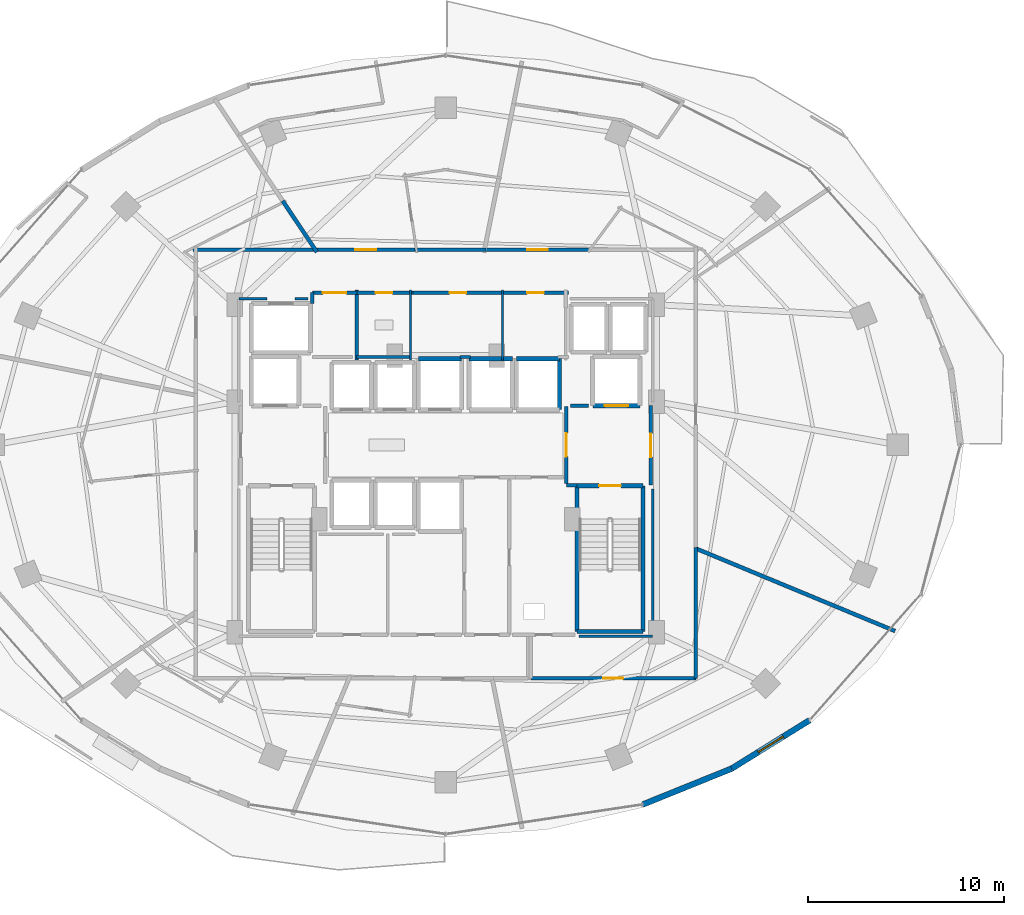
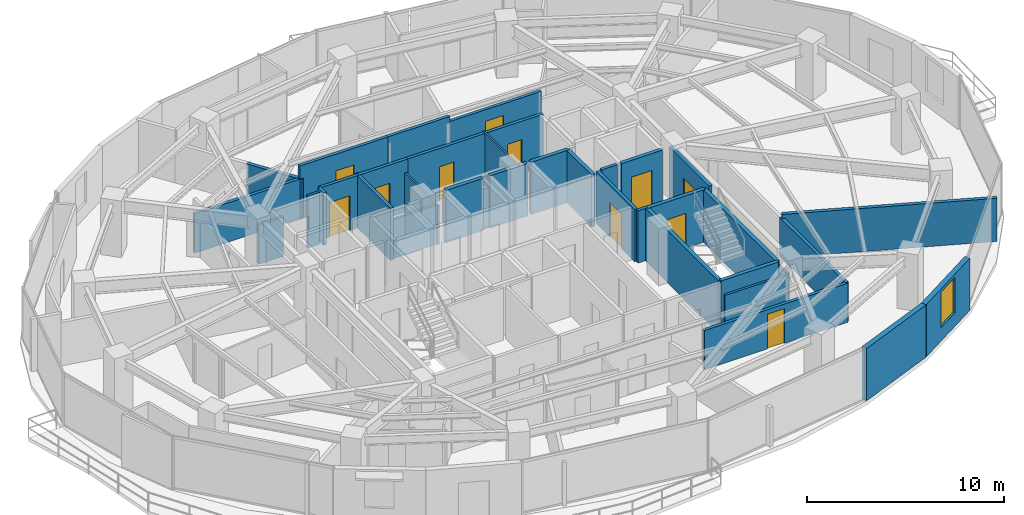
# One storey, part 24 of 29: 37 walls, 11 doors, 1 window, 12 openings.
"""IFC4 building model written with IfcOpenShell, lengths in metres."""

from ifc_helpers import new_model, si_unit, direction, frame, frame_2d, origin, place, context, subcontext, project, spatial, rectangle, extrude, material, layer, layer_set, type_object, element, fill, save


model = new_model("IFC4")

# Units and contexts
model_context = context("Model", 3, precision=1e-05, world=origin(), true_north=direction((0.0, 1.0)))
body_context = subcontext(model_context, "Body", "Model", "MODEL_VIEW")
ifc_project = project(units=[si_unit("LENGTHUNIT", "METRE"), si_unit("AREAUNIT", "SQUARE_METRE"), si_unit("VOLUMEUNIT", "CUBIC_METRE"), si_unit("PLANEANGLEUNIT", "RADIAN"), si_unit("MASSUNIT", "GRAM", prefix="KILO")], contexts=[model_context])

# Site, building, storey
site_placement = place(None, origin())
site = spatial("IfcSite", under=ifc_project, at=site_placement, CompositionType="ELEMENT")
building_placement = place(site_placement, origin())
building = spatial("IfcBuilding", under=site, at=building_placement, Name="Vorneva Point Tower", CompositionType="ELEMENT")
storey_placement = place(building_placement, frame((0.0, 0.0, 85.800048828125)))
storey = spatial("IfcBuildingStorey", under=building, at=storey_placement, Name="L22", CompositionType="ELEMENT", Elevation=85.800048828125)

# Wall, opening, door
ifc_material_1 = material(Name="Concrete B60 (C50/60)", Category="concrete")
ifc_layer_1 = layer(ifc_material_1, 0.5)
ifc_layer_set_1 = layer_set([ifc_layer_1], Name="Concrete B60 (C50/60)")
wall_type_1 = type_object("IfcWallType", Name="WL-CORE-500", PredefinedType="SHEAR", material=ifc_layer_set_1)
wall_1_placement = place(storey_placement, frame((45.5, 28.0, 0.0), z_axis=(0.0, 0.0, 1.0), x_axis=(1.0, 0.0, 0.0)))
wall_1 = element("IfcWall", 1, at=wall_1_placement, inside=storey, type_object=wall_type_1, Name="L22 Lift FFL2 Shaft Wall -Y", PredefinedType="SHEAR", context=body_context, shape_type="SweptSolid", body=[
    extrude(rectangle(XDim=2.39990234375, YDim=0.219970703125, at=frame_2d((1.199951171875, 0.0))), origin(), (0.0, 0.0, 1.0), 3.239990234375),
])
opening_1_placement = place(wall_1_placement, frame((0.60009765625, 0.0, 0.0)))
opening_1 = element("IfcOpeningElement", 2, at=opening_1_placement, cuts=wall_1, Name="Opening LD-02", PredefinedType="OPENING", context=body_context, shape_type="SweptSolid", body=[
    extrude(rectangle(XDim=1.199951171875, YDim=2.199951171875, at=frame_2d((0.60009765625, 1.10009765625))), frame((0.0, 0.125, 0.0), z_axis=(0.0, -1.0, 0.0), x_axis=(1.0, 0.0, 0.0)), (0.0, 0.0, 1.0), 0.249755859375),
])
ifc_material_2 = material(Name="Brushed stainless steel S304", Category="steel")
door_type_1 = type_object("IfcDoorType", Name="LD-FIRE-1200", OperationType="SLIDING_TO_LEFT", PredefinedType="DOOR", material=ifc_material_2)
door_1_placement = place(opening_1_placement, origin())
door_1 = element("IfcDoor", 3, at=door_1_placement, inside=storey, type_object=door_type_1, Name="L22 Lift FFL2 Sliding Landing Door", OperationType="SLIDING_TO_LEFT", OverallHeight=2.199951171875, OverallWidth=1.199951171875, PredefinedType="DOOR", context=body_context, shape_type="SweptSolid", body=[
    extrude(rectangle(XDim=1.199951171875, YDim=2.199951171875, at=frame_2d((0.60009765625, 1.10009765625))), frame((0.0, 0.02490234375, 0.0), z_axis=(0.0, -1.0, 0.0), x_axis=(1.0, 0.0, 0.0)), (0.0, 0.0, 1.0), 0.050048828125),
])
fill(opening_1, door_1)

# Wall
ifc_material_3 = material(Name="Precast concrete B50 (C40/50)", Category="concrete")
ifc_layer_2 = layer(ifc_material_3, 0.300048828125)
ifc_layer_set_2 = layer_set([ifc_layer_2], Name="Precast concrete B50 (C40/50)")
wall_type_2 = type_object("IfcWallType", Name="WL-EXT-300", PredefinedType="STANDARD", material=ifc_layer_set_2)
wall_2_placement = place(storey_placement, frame((48.04541015625, 7.660888671875, 0.0), z_axis=(0.0, 0.0, 1.0), x_axis=(0.927122233109, 0.374759075775, 0.0)))
element("IfcWall", 4, at=wall_2_placement, inside=storey, type_object=wall_type_2, Name="L22 Pale-Metal Facade Spandrel Wall 14.1", PredefinedType="STANDARD", context=body_context, shape_type="SweptSolid", body=[
    extrude(rectangle(XDim=4.89501953125, YDim=0.300048828125, at=frame_2d((2.447509765625, 0.0))), origin(), (0.0, 0.0, 1.0), 3.239990234375),
])

# Wall, opening, window
wall_3_placement = place(storey_placement, frame((52.583740234375, 9.495361328125, 0.0), z_axis=(0.0, 0.0, 1.0), x_axis=(0.849684479743, 0.527291461038, 0.0)))
wall_3 = element("IfcWall", 5, at=wall_3_placement, inside=storey, type_object=wall_type_2, Name="L22 Pale-Metal Facade Spandrel Wall 14.2", PredefinedType="STANDARD", context=body_context, shape_type="SweptSolid", body=[
    extrude(rectangle(XDim=4.681396484375, YDim=0.300048828125, at=frame_2d((2.3408203125, 0.0))), origin(), (0.0, 0.0, 1.0), 3.239990234375),
])
opening_2_placement = place(wall_3_placement, frame((1.5908203125, 0.0, 0.85009765625)))
opening_2 = element("IfcOpeningElement", 6, at=opening_2_placement, cuts=wall_3, Name="Opening W-02", PredefinedType="OPENING", context=body_context, shape_type="SweptSolid", body=[
    extrude(rectangle(XDim=1.5, YDim=2.18994140625, at=frame_2d((0.75, 1.094970703125))), frame((0.0, 0.1650390625, 0.0), z_axis=(0.0, -1.0, 0.0), x_axis=(1.0, 0.0, 0.0)), (0.0, 0.0, 1.0), 0.329833984375),
])
ifc_material_4 = material(Name="Double low-e laminated glass IGU", Category="glass")
window_type = type_object("IfcWindowType", Name="WN-HTL-1500", PartitioningType="SINGLE_PANEL", PredefinedType="WINDOW", material=ifc_material_4)
window_placement = place(opening_2_placement, origin())
window = element("IfcWindow", 7, at=window_placement, inside=storey, type_object=window_type, Name="L22 Facade Window 14", OverallHeight=2.18994140625, OverallWidth=1.5, PartitioningType="SINGLE_PANEL", PredefinedType="WINDOW", context=body_context, shape_type="SweptSolid", body=[
    extrude(rectangle(XDim=1.5, YDim=2.18994140625, at=frame_2d((0.75, 1.094970703125))), frame((0.0, 0.030029296875, 0.0), z_axis=(0.0, -1.0, 0.0), x_axis=(1.0, 0.0, 0.0)), (0.0, 0.0, 1.0), 0.06005859375),
])
fill(opening_2, window)

# Walls
ifc_material_5 = material(Name="Fire-rated acoustic gypsum stud partition", Category="gypsum")
ifc_layer_3 = layer(ifc_material_5, 0.110107421875)
ifc_layer_set_3 = layer_set([ifc_layer_3], Name="Fire-rated acoustic gypsum stud partition")
wall_type_3 = type_object("IfcWallType", Name="WL-PART-110", PredefinedType="PARTITIONING", material=ifc_layer_set_3)
wall_4_placement = place(storey_placement, frame((36.199951171875, 30.340087890625, 0.0), z_axis=(0.0, 0.0, 1.0), x_axis=(0.0, 1.0, 0.0)))
element("IfcWall", 8, at=wall_4_placement, inside=storey, type_object=wall_type_3, Name="L22 Interior Partition 015", PredefinedType="PARTITIONING", context=body_context, shape_type="SweptSolid", body=[
    extrude(rectangle(XDim=3.559814453125, YDim=0.110107421875, at=frame_2d((1.77978515625, 0.0))), origin(), (0.0, 0.0, 1.0), 2.431884765625),
])
wall_5_placement = place(storey_placement, frame((40.89990234375, 30.340087890625, 0.0), z_axis=(0.0, 0.0, 1.0), x_axis=(0.0, 1.0, 0.0)))
element("IfcWall", 9, at=wall_5_placement, inside=storey, type_object=wall_type_3, Name="L22 Interior Partition 017", PredefinedType="PARTITIONING", context=body_context, shape_type="SweptSolid", body=[
    extrude(rectangle(XDim=3.559814453125, YDim=0.110107421875, at=frame_2d((1.77978515625, 0.0))), origin(), (0.0, 0.0, 1.0), 3.239990234375),
])
ifc_layer_4 = layer(ifc_material_5, 0.139892578125)
ifc_layer_set_4 = layer_set([ifc_layer_4], Name="Fire-rated acoustic gypsum stud partition")
wall_type_4 = type_object("IfcWallType", Name="WL-PART-140", PredefinedType="PARTITIONING", material=ifc_layer_set_4)
wall_6_placement = place(storey_placement, frame((33.43994140625, 30.47998046875, 0.0), z_axis=(0.0, 0.0, 1.0), x_axis=(1.0, 0.0, 0.0)))
element("IfcWall", 10, at=wall_6_placement, inside=storey, type_object=wall_type_4, Name="L22 Interior Closure Partition 095", PredefinedType="PARTITIONING", context=body_context, shape_type="SweptSolid", body=[
    extrude(rectangle(XDim=2.7900390625, YDim=0.139892578125, at=frame_2d((1.39501953125, 0.0))), origin(), (0.0, 0.0, 1.0), 2.431884765625),
])
wall_7_placement = place(storey_placement, frame((38.735107421875, 30.47998046875, 0.0), z_axis=(0.0, 0.0, 1.0), x_axis=(1.0, 0.0, 0.0)))
element("IfcWall", 11, at=wall_7_placement, inside=storey, type_object=wall_type_4, Name="L22 Interior Closure Partition 096", PredefinedType="PARTITIONING", context=body_context, shape_type="SweptSolid", body=[
    extrude(rectangle(XDim=0.52978515625, YDim=0.139892578125, at=frame_2d((0.264892578125, 0.0))), origin(), (0.0, 0.0, 1.0), 2.431884765625),
])
wall_8_placement = place(storey_placement, frame((48.550048828125, 23.75390625, 0.0), z_axis=(0.0, 0.0, 1.0), x_axis=(0.0, -1.0, 0.0)))
element("IfcWall", 12, at=wall_8_placement, inside=storey, type_object=wall_type_4, Name="L22 Interior Closure Partition 103", PredefinedType="PARTITIONING", context=body_context, shape_type="SweptSolid", body=[
    extrude(rectangle(XDim=7.513916015625, YDim=0.139892578125, at=frame_2d((3.7568359375, 0.0))), origin(), (0.0, 0.0, 1.0), 2.431884765625),
])
wall_9_placement = place(storey_placement, frame((48.550048828125, 16.239990234375, 0.0), z_axis=(0.0, 0.0, 1.0), x_axis=(-1.0, 0.0, 0.0)))
element("IfcWall", 13, at=wall_9_placement, inside=storey, type_object=wall_type_4, Name="L22 Interior Closure Partition 104", PredefinedType="PARTITIONING", context=body_context, shape_type="SweptSolid", body=[
    extrude(rectangle(XDim=3.7451171875, YDim=0.139892578125, at=frame_2d((1.87255859375, 0.0))), origin(), (0.0, 0.0, 1.0), 2.431884765625),
])
wall_10_placement = place(storey_placement, frame((27.449951171875, 33.449951171875, 0.0), z_axis=(0.0, 0.0, 1.0), x_axis=(1.0, 0.0, 0.0)))
element("IfcWall", 14, at=wall_10_placement, inside=storey, type_object=wall_type_4, Name="L22 Interior Closure Partition 108", PredefinedType="PARTITIONING", context=body_context, shape_type="SweptSolid", body=[
    extrude(rectangle(XDim=1.444091796875, YDim=0.139892578125, at=frame_2d((0.72216796875, 0.0))), origin(), (0.0, 0.0, 1.0), 2.431884765625),
])
wall_11_placement = place(storey_placement, frame((30.305908203125, 33.449951171875, 0.0), z_axis=(0.0, 0.0, 1.0), x_axis=(1.0, 0.0, 0.0)))
element("IfcWall", 15, at=wall_11_placement, inside=storey, type_object=wall_type_4, Name="L22 Interior Closure Partition 109", PredefinedType="PARTITIONING", context=body_context, shape_type="SweptSolid", body=[
    extrude(rectangle(XDim=0.674072265625, YDim=0.139892578125, at=frame_2d((0.3369140625, 0.0))), origin(), (0.0, 0.0, 1.0), 3.239990234375),
])

# Wall, opening, door
ifc_material_6 = material(Name="Autoclaved aerated concrete blockwork", Category="masonry")
ifc_layer_5 = layer(ifc_material_6, 0.179931640625)
ifc_layer_set_5 = layer_set([ifc_layer_5], Name="Autoclaved aerated concrete blockwork")
wall_type_5 = type_object("IfcWallType", Name="WL-PART-180", PredefinedType="PARTITIONING", material=ifc_layer_set_5)
wall_12_placement = place(storey_placement, frame((44.14990234375, 27.955078125, 0.0), z_axis=(0.0, 0.0, 1.0), x_axis=(0.0, -1.0, 0.0)))
wall_12 = element("IfcWall", 16, at=wall_12_placement, inside=storey, type_object=wall_type_5, Name="L22 Interior Partition 003", PredefinedType="PARTITIONING", context=body_context, shape_type="SweptSolid", body=[
    extrude(rectangle(XDim=3.91015625, YDim=0.179931640625, at=frame_2d((1.955078125, 0.0))), origin(), (0.0, 0.0, 1.0), 3.239990234375),
])
opening_3_placement = place(wall_12_placement, frame((1.35498046875, 0.0, 0.0)))
opening_3 = element("IfcOpeningElement", 17, at=opening_3_placement, cuts=wall_12, Name="Opening FD-02", PredefinedType="OPENING", context=body_context, shape_type="SweptSolid", body=[
    extrude(rectangle(XDim=1.199951171875, YDim=2.14990234375, at=frame_2d((0.60009765625, 1.074951171875))), frame((0.0, 0.10498046875, 0.0), z_axis=(0.0, -1.0, 0.0), x_axis=(1.0, 0.0, 0.0)), (0.0, 0.0, 1.0), 0.209716796875),
])
ifc_material_7 = material(Name="Fire-rated powder-coated steel", Category="steel")
door_type_2 = type_object("IfcDoorType", Name="DR-FFL-1200", OperationType="NOTDEFINED", PredefinedType="DOOR", material=ifc_material_7)
door_2_placement = place(opening_3_placement, origin())
door_2 = element("IfcDoor", 18, at=door_2_placement, inside=storey, type_object=door_type_2, Name="L22 Door East Firefighting Lobby / Central Lift Lobby", OperationType="SINGLE_SWING_LEFT", OverallHeight=2.14990234375, OverallWidth=1.199951171875, PredefinedType="DOOR", context=body_context, shape_type="SweptSolid", body=[
    extrude(rectangle(XDim=1.199951171875, YDim=2.14990234375, at=frame_2d((0.60009765625, 1.074951171875))), frame((0.0, 0.02490234375, 0.0), z_axis=(0.0, -1.0, 0.0), x_axis=(1.0, 0.0, 0.0)), (0.0, 0.0, 1.0), 0.050048828125),
])
fill(opening_3, door_2)

# Wall
wall_13_placement = place(storey_placement, frame((44.14990234375, 23.949951171875, 0.0), z_axis=(0.0, 0.0, 1.0), x_axis=(1.0, 0.0, 0.0)))
element("IfcWall", 19, at=wall_13_placement, inside=storey, type_object=wall_type_5, Name="L22 Interior Partition 004", PredefinedType="PARTITIONING", context=body_context, shape_type="SweptSolid", body=[
    extrude(rectangle(XDim=0.5400390625, YDim=0.179931640625, at=frame_2d((0.27001953125, 0.0))), origin(), (0.0, 0.0, 1.0), 3.239990234375),
])

# Wall, opening, door
wall_14_placement = place(storey_placement, frame((48.449951171875, 23.949951171875, 0.0), z_axis=(0.0, 0.0, 1.0), x_axis=(0.0, 1.0, 0.0)))
wall_14 = element("IfcWall", 20, at=wall_14_placement, inside=storey, type_object=wall_type_5, Name="L22 Interior Partition 005", PredefinedType="PARTITIONING", context=body_context, shape_type="SweptSolid", body=[
    extrude(rectangle(XDim=4.050048828125, YDim=0.179931640625, at=frame_2d((2.02490234375, 0.0))), origin(), (0.0, 0.0, 1.0), 3.239990234375),
])
opening_4_placement = place(wall_14_placement, frame((1.425048828125, 0.0, 0.0)))
opening_4 = element("IfcOpeningElement", 21, at=opening_4_placement, cuts=wall_14, Name="Opening FD-02", PredefinedType="OPENING", context=body_context, shape_type="SweptSolid", body=[
    extrude(rectangle(XDim=1.199951171875, YDim=2.14990234375, at=frame_2d((0.60009765625, 1.074951171875))), frame((0.0, 0.10498046875, 0.0), z_axis=(0.0, -1.0, 0.0), x_axis=(1.0, 0.0, 0.0)), (0.0, 0.0, 1.0), 0.209716796875),
])
door_3_placement = place(opening_4_placement, origin())
door_3 = element("IfcDoor", 22, at=door_3_placement, inside=storey, type_object=door_type_2, Name="L22 Door East Firefighting Lobby / L22 Circulation Corridor", OperationType="SINGLE_SWING_LEFT", OverallHeight=2.14990234375, OverallWidth=1.199951171875, PredefinedType="DOOR", context=body_context, shape_type="SweptSolid", body=[
    extrude(rectangle(XDim=1.199951171875, YDim=2.14990234375, at=frame_2d((0.60009765625, 1.074951171875))), frame((0.0, 0.02490234375, 0.0), z_axis=(0.0, -1.0, 0.0), x_axis=(1.0, 0.0, 0.0)), (0.0, 0.0, 1.0), 0.050048828125),
])
fill(opening_4, door_3)

# Wall
wall_15_placement = place(storey_placement, frame((33.469970703125, 30.340087890625, 0.0), z_axis=(0.0, 0.0, 1.0), x_axis=(0.0, 1.0, 0.0)))
element("IfcWall", 23, at=wall_15_placement, inside=storey, type_object=wall_type_5, Name="L22 Interior Partition 006", PredefinedType="PARTITIONING", context=body_context, shape_type="SweptSolid", body=[
    extrude(rectangle(XDim=3.559814453125, YDim=0.179931640625, at=frame_2d((1.77978515625, 0.0))), origin(), (0.0, 0.0, 1.0), 3.239990234375),
])

# Wall, opening, door
wall_16_placement = place(storey_placement, frame((33.469970703125, 33.760009765625, 0.0), z_axis=(0.0, 0.0, 1.0), x_axis=(-1.0, 0.0, 0.0)))
wall_16 = element("IfcWall", 24, at=wall_16_placement, inside=storey, type_object=wall_type_5, Name="L22 Interior Partition 007", PredefinedType="PARTITIONING", context=body_context, shape_type="SweptSolid", body=[
    extrude(rectangle(XDim=2.27001953125, YDim=0.179931640625, at=frame_2d((1.135009765625, 0.0))), origin(), (0.0, 0.0, 1.0), 3.239990234375),
])
opening_5_placement = place(wall_16_placement, frame((0.534912109375, 0.0, 0.0)))
opening_5 = element("IfcOpeningElement", 25, at=opening_5_placement, cuts=wall_16, Name="Opening FD-02", PredefinedType="OPENING", context=body_context, shape_type="SweptSolid", body=[
    extrude(rectangle(XDim=1.199951171875, YDim=2.14990234375, at=frame_2d((0.60009765625, 1.074951171875))), frame((0.0, 0.10498046875, 0.0), z_axis=(0.0, -1.0, 0.0), x_axis=(1.0, 0.0, 0.0)), (0.0, 0.0, 1.0), 0.209716796875),
])
door_4_placement = place(opening_5_placement, origin())
door_4 = element("IfcDoor", 26, at=door_4_placement, inside=storey, type_object=door_type_2, Name="L22 Door Service Lift Lobby / L22 Circulation Corridor", OperationType="SINGLE_SWING_LEFT", OverallHeight=2.14990234375, OverallWidth=1.199951171875, PredefinedType="DOOR", context=body_context, shape_type="SweptSolid", body=[
    extrude(rectangle(XDim=1.199951171875, YDim=2.14990234375, at=frame_2d((0.60009765625, 1.074951171875))), frame((0.0, 0.02490234375, 0.0), z_axis=(0.0, -1.0, 0.0), x_axis=(1.0, 0.0, 0.0)), (0.0, 0.0, 1.0), 0.050048828125),
])
fill(opening_5, door_4)

# Wall
wall_17_placement = place(storey_placement, frame((31.199951171875, 33.760009765625, 0.0), z_axis=(0.0, 0.0, 1.0), x_axis=(0.0, -1.0, 0.0)))
element("IfcWall", 27, at=wall_17_placement, inside=storey, type_object=wall_type_5, Name="L22 Interior Partition 008", PredefinedType="PARTITIONING", context=body_context, shape_type="SweptSolid", body=[
    extrude(rectangle(XDim=0.56005859375, YDim=0.179931640625, at=frame_2d((0.280029296875, 0.0))), origin(), (0.0, 0.0, 1.0), 3.239990234375),
])

# Wall, opening, door
wall_18_placement = place(storey_placement, frame((36.340087890625, 33.760009765625, 0.0), z_axis=(0.0, 0.0, 1.0), x_axis=(-1.0, 0.0, 0.0)))
wall_18 = element("IfcWall", 28, at=wall_18_placement, inside=storey, type_object=wall_type_5, Name="L22 Interior Partition 016", PredefinedType="PARTITIONING", context=body_context, shape_type="SweptSolid", body=[
    extrude(rectangle(XDim=2.97998046875, YDim=0.179931640625, at=frame_2d((1.489990234375, 0.0))), origin(), (0.0, 0.0, 1.0), 3.239990234375),
])
opening_6_placement = place(wall_18_placement, frame((1.06494140625, 0.0, 0.0)))
opening_6 = element("IfcOpeningElement", 29, at=opening_6_placement, cuts=wall_18, Name="Opening ID-02", PredefinedType="OPENING", context=body_context, shape_type="SweptSolid", body=[
    extrude(rectangle(XDim=0.85009765625, YDim=2.10009765625, at=frame_2d((0.425048828125, 1.050048828125))), frame((0.0, 0.10498046875, 0.0), z_axis=(0.0, -1.0, 0.0), x_axis=(1.0, 0.0, 0.0)), (0.0, 0.0, 1.0), 0.209716796875),
])
ifc_material_8 = material(Name="Engineered oak fire-rated door leaf", Category="wood")
door_type_3 = type_object("IfcDoorType", Name="DR-BATH-850", OperationType="NOTDEFINED", PredefinedType="DOOR", material=ifc_material_8)
door_5_placement = place(opening_6_placement, origin())
door_5 = element("IfcDoor", 30, at=door_5_placement, inside=storey, type_object=door_type_3, Name="L22 Door Public Male WC / L22 Circulation Corridor", OperationType="SINGLE_SWING_RIGHT", OverallHeight=2.10009765625, OverallWidth=0.85009765625, PredefinedType="DOOR", context=body_context, shape_type="SweptSolid", body=[
    extrude(rectangle(XDim=0.85009765625, YDim=2.10009765625, at=frame_2d((0.425048828125, 1.050048828125))), frame((0.0, 0.02490234375, 0.0), z_axis=(0.0, -1.0, 0.0), x_axis=(1.0, 0.0, 0.0)), (0.0, 0.0, 1.0), 0.050048828125),
])
fill(opening_6, door_5)

wall_19_placement = place(storey_placement, frame((41.0400390625, 33.760009765625, 0.0), z_axis=(0.0, 0.0, 1.0), x_axis=(-1.0, 0.0, 0.0)))
wall_19 = element("IfcWall", 31, at=wall_19_placement, inside=storey, type_object=wall_type_5, Name="L22 Interior Partition 018", PredefinedType="PARTITIONING", context=body_context, shape_type="SweptSolid", body=[
    extrude(rectangle(XDim=4.840087890625, YDim=0.179931640625, at=frame_2d((2.419921875, 0.0))), origin(), (0.0, 0.0, 1.0), 3.239990234375),
])
opening_7_placement = place(wall_19_placement, frame((1.9951171875, 0.0, 0.0)))
opening_7 = element("IfcOpeningElement", 32, at=opening_7_placement, cuts=wall_19, Name="Opening ID-02", PredefinedType="OPENING", context=body_context, shape_type="SweptSolid", body=[
    extrude(rectangle(XDim=0.85009765625, YDim=2.10009765625, at=frame_2d((0.425048828125, 1.050048828125))), frame((0.0, 0.10498046875, 0.0), z_axis=(0.0, -1.0, 0.0), x_axis=(1.0, 0.0, 0.0)), (0.0, 0.0, 1.0), 0.209716796875),
])
door_6_placement = place(opening_7_placement, origin())
door_6 = element("IfcDoor", 33, at=door_6_placement, inside=storey, type_object=door_type_3, Name="L22 Door Public Female WC / L22 Circulation Corridor", OperationType="SINGLE_SWING_LEFT", OverallHeight=2.10009765625, OverallWidth=0.85009765625, PredefinedType="DOOR", context=body_context, shape_type="SweptSolid", body=[
    extrude(rectangle(XDim=0.85009765625, YDim=2.10009765625, at=frame_2d((0.425048828125, 1.050048828125))), frame((0.0, 0.02490234375, 0.0), z_axis=(0.0, -1.0, 0.0), x_axis=(1.0, 0.0, 0.0)), (0.0, 0.0, 1.0), 0.050048828125),
])
fill(opening_7, door_6)

wall_20_placement = place(storey_placement, frame((44.260009765625, 33.760009765625, 0.0), z_axis=(0.0, 0.0, 1.0), x_axis=(-1.0, 0.0, 0.0)))
wall_20 = element("IfcWall", 34, at=wall_20_placement, inside=storey, type_object=wall_type_5, Name="L22 Interior Partition 019", PredefinedType="PARTITIONING", context=body_context, shape_type="SweptSolid", body=[
    extrude(rectangle(XDim=3.360107421875, YDim=0.179931640625, at=frame_2d((1.68017578125, 0.0))), origin(), (0.0, 0.0, 1.0), 3.239990234375),
])
opening_8_placement = place(wall_20_placement, frame((1.2548828125, 0.0, 0.0)))
opening_8 = element("IfcOpeningElement", 35, at=opening_8_placement, cuts=wall_20, Name="Opening ID-02", PredefinedType="OPENING", context=body_context, shape_type="SweptSolid", body=[
    extrude(rectangle(XDim=0.85009765625, YDim=2.10009765625, at=frame_2d((0.425048828125, 1.050048828125))), frame((0.0, 0.10498046875, 0.0), z_axis=(0.0, -1.0, 0.0), x_axis=(1.0, 0.0, 0.0)), (0.0, 0.0, 1.0), 0.209716796875),
])
door_7_placement = place(opening_8_placement, origin())
door_7 = element("IfcDoor", 36, at=door_7_placement, inside=storey, type_object=door_type_3, Name="L22 Door Accessible WC / L22 Circulation Corridor", OperationType="SINGLE_SWING_RIGHT", OverallHeight=2.10009765625, OverallWidth=0.85009765625, PredefinedType="DOOR", context=body_context, shape_type="SweptSolid", body=[
    extrude(rectangle(XDim=0.85009765625, YDim=2.10009765625, at=frame_2d((0.425048828125, 1.050048828125))), frame((0.0, 0.02490234375, 0.0), z_axis=(0.0, -1.0, 0.0), x_axis=(1.0, 0.0, 0.0)), (0.0, 0.0, 1.0), 0.050048828125),
])
fill(opening_8, door_7)

wall_21_placement = place(storey_placement, frame((45.424072265625, 35.949951171875, 0.0), z_axis=(0.0, 0.0, 1.0), x_axis=(-1.0, 0.0, 0.0)))
wall_21 = element("IfcWall", 37, at=wall_21_placement, inside=storey, type_object=wall_type_5, Name="L22 Interior Partition 024", PredefinedType="PARTITIONING", context=body_context, shape_type="SweptSolid", body=[
    extrude(rectangle(XDim=5.505126953125, YDim=0.179931640625, at=frame_2d((2.75244140625, 0.0))), origin(), (0.0, 0.0, 1.0), 2.921875),
])
opening_9_placement = place(wall_21_placement, frame((2.2275390625, 0.0, 0.0)))
opening_9 = element("IfcOpeningElement", 38, at=opening_9_placement, cuts=wall_21, Name="Opening UD-02", PredefinedType="OPENING", context=body_context, shape_type="SweptSolid", body=[
    extrude(rectangle(XDim=1.050048828125, YDim=2.199951171875, at=frame_2d((0.52490234375, 1.10009765625))), frame((0.0, 0.10498046875, 0.0), z_axis=(0.0, -1.0, 0.0), x_axis=(1.0, 0.0, 0.0)), (0.0, 0.0, 1.0), 0.209716796875),
])
door_type_4 = type_object("IfcDoorType", Name="DR-SUITE-1050", OperationType="NOTDEFINED", PredefinedType="DOOR", material=ifc_material_8)
door_8_placement = place(opening_9_placement, origin())
door_8 = element("IfcDoor", 39, at=door_8_placement, inside=storey, type_object=door_type_4, Name="L22 Door L22 Circulation Corridor / Corner Suite L22-01", OperationType="SINGLE_SWING_LEFT", OverallHeight=2.199951171875, OverallWidth=1.050048828125, PredefinedType="DOOR", context=body_context, shape_type="SweptSolid", body=[
    extrude(rectangle(XDim=1.050048828125, YDim=2.199951171875, at=frame_2d((0.52490234375, 1.10009765625))), frame((0.0, 0.02490234375, 0.0), z_axis=(0.0, -1.0, 0.0), x_axis=(1.0, 0.0, 0.0)), (0.0, 0.0, 1.0), 0.050048828125),
])
fill(opening_9, door_8)

wall_22_placement = place(storey_placement, frame((36.56396484375, 35.949951171875, 0.0), z_axis=(0.0, 0.0, 1.0), x_axis=(-1.0, 0.0, 0.0)))
wall_22 = element("IfcWall", 40, at=wall_22_placement, inside=storey, type_object=wall_type_5, Name="L22 Interior Partition 027", PredefinedType="PARTITIONING", context=body_context, shape_type="SweptSolid", body=[
    extrude(rectangle(XDim=5.283935546875, YDim=0.179931640625, at=frame_2d((2.64208984375, 0.0))), origin(), (0.0, 0.0, 1.0), 3.239990234375),
])
opening_10_placement = place(wall_22_placement, frame((2.116943359375, 0.0, 0.0)))
opening_10 = element("IfcOpeningElement", 41, at=opening_10_placement, cuts=wall_22, Name="Opening UD-02", PredefinedType="OPENING", context=body_context, shape_type="SweptSolid", body=[
    extrude(rectangle(XDim=1.050048828125, YDim=2.199951171875, at=frame_2d((0.52490234375, 1.10009765625))), frame((0.0, 0.10498046875, 0.0), z_axis=(0.0, -1.0, 0.0), x_axis=(1.0, 0.0, 0.0)), (0.0, 0.0, 1.0), 0.209716796875),
])
door_9_placement = place(opening_10_placement, origin())
door_9 = element("IfcDoor", 42, at=door_9_placement, inside=storey, type_object=door_type_4, Name="L22 Door L22 Circulation Corridor / Junior Suite L22-02", OperationType="SINGLE_SWING_RIGHT", OverallHeight=2.199951171875, OverallWidth=1.050048828125, PredefinedType="DOOR", context=body_context, shape_type="SweptSolid", body=[
    extrude(rectangle(XDim=1.050048828125, YDim=2.199951171875, at=frame_2d((0.52490234375, 1.10009765625))), frame((0.0, 0.02490234375, 0.0), z_axis=(0.0, -1.0, 0.0), x_axis=(1.0, 0.0, 0.0)), (0.0, 0.0, 1.0), 0.050048828125),
])
fill(opening_10, door_9)

# Walls
wall_23_placement = place(storey_placement, frame((40.05908203125, 35.949951171875, 0.0), z_axis=(0.0, 0.0, 1.0), x_axis=(-1.0, 0.0, 0.0)))
element("IfcWall", 43, at=wall_23_placement, inside=storey, type_object=wall_type_5, Name="L22 Interior Partition 028", PredefinedType="PARTITIONING", context=body_context, shape_type="SweptSolid", body=[
    extrude(rectangle(XDim=3.635009765625, YDim=0.179931640625, at=frame_2d((1.8173828125, 0.0))), origin(), (0.0, 0.0, 1.0), 3.239990234375),
])
wall_24_placement = place(storey_placement, frame((31.419921875, 35.949951171875, 0.0), z_axis=(0.0, 0.0, 1.0), x_axis=(-1.0, 0.0, 0.0)))
element("IfcWall", 44, at=wall_24_placement, inside=storey, type_object=wall_type_5, Name="L22 Interior Partition 030", PredefinedType="PARTITIONING", context=body_context, shape_type="SweptSolid", body=[
    extrude(rectangle(XDim=6.309814453125, YDim=0.179931640625, at=frame_2d((3.15478515625, 0.0))), origin(), (0.0, 0.0, 1.0), 2.431884765625),
])

# Wall, opening, door
wall_25_placement = place(storey_placement, frame((42.340087890625, 14.10009765625, 0.0), z_axis=(0.0, 0.0, 1.0), x_axis=(1.0, 0.0, 0.0)))
wall_25 = element("IfcWall", 45, at=wall_25_placement, inside=storey, type_object=wall_type_5, Name="L22 Interior Partition 040", PredefinedType="PARTITIONING", context=body_context, shape_type="SweptSolid", body=[
    extrude(rectangle(XDim=8.409912109375, YDim=0.179931640625, at=frame_2d((4.205078125, 0.0))), origin(), (0.0, 0.0, 1.0), 2.431884765625),
])
opening_11_placement = place(wall_25_placement, frame((3.705078125, 0.0, 0.0)))
opening_11 = element("IfcOpeningElement", 46, at=opening_11_placement, cuts=wall_25, Name="Opening UD-01", PredefinedType="OPENING", context=body_context, shape_type="SweptSolid", body=[
    extrude(rectangle(XDim=1.0, YDim=2.14990234375, at=frame_2d((0.5, 1.074951171875))), frame((0.0, 0.10498046875, 0.0), z_axis=(0.0, -1.0, 0.0), x_axis=(1.0, 0.0, 0.0)), (0.0, 0.0, 1.0), 0.209716796875),
])
door_type_5 = type_object("IfcDoorType", Name="DR-UNIT-1000", OperationType="NOTDEFINED", PredefinedType="DOOR", material=ifc_material_8)
door_10_placement = place(opening_11_placement, origin())
door_10 = element("IfcDoor", 47, at=door_10_placement, inside=storey, type_object=door_type_5, Name="L22 Door L22 Circulation Corridor / Hotel Club Lounge L22-07", OperationType="SINGLE_SWING_LEFT", OverallHeight=2.14990234375, OverallWidth=1.0, PredefinedType="DOOR", context=body_context, shape_type="SweptSolid", body=[
    extrude(rectangle(XDim=1.0, YDim=2.14990234375, at=frame_2d((0.5, 1.074951171875))), frame((0.0, 0.02490234375, 0.0), z_axis=(0.0, -1.0, 0.0), x_axis=(1.0, 0.0, 0.0)), (0.0, 0.0, 1.0), 0.050048828125),
])
fill(opening_11, door_10)

# Walls
wall_26_placement = place(storey_placement, frame((50.75, 14.10009765625, 0.0), z_axis=(0.0, 0.0, 1.0), x_axis=(0.0, 1.0, 0.0)))
element("IfcWall", 48, at=wall_26_placement, inside=storey, type_object=wall_type_5, Name="L22 Interior Partition 041", PredefinedType="PARTITIONING", context=body_context, shape_type="SweptSolid", body=[
    extrude(rectangle(XDim=6.678955078125, YDim=0.179931640625, at=frame_2d((3.33935546875, 0.0))), origin(), (0.0, 0.0, 1.0), 2.431884765625),
])
wall_27_placement = place(storey_placement, frame((45.280029296875, 28.0, 0.0), z_axis=(0.0, 0.0, 1.0), x_axis=(-1.0, 0.0, 0.0)))
element("IfcWall", 49, at=wall_27_placement, inside=storey, type_object=wall_type_5, Name="L22 Interior Closure Partition 093", PredefinedType="PARTITIONING", context=body_context, shape_type="SweptSolid", body=[
    extrude(rectangle(XDim=0.9150390625, YDim=0.179931640625, at=frame_2d((0.45751953125, 0.0))), origin(), (0.0, 0.0, 1.0), 3.239990234375),
])
ifc_layer_6 = layer(ifc_material_6, 0.199951171875)
ifc_layer_set_6 = layer_set([ifc_layer_6], Name="Autoclaved aerated concrete blockwork")
wall_type_6 = type_object("IfcWallType", Name="WL-PART-200", PredefinedType="PARTITIONING", material=ifc_layer_set_6)
wall_28_placement = place(storey_placement, frame((29.68505859375, 38.4443359375, 0.0), z_axis=(0.0, 0.0, 1.0), x_axis=(0.555596981897, -0.831451738652, 0.0)))
element("IfcWall", 50, at=wall_28_placement, inside=storey, type_object=wall_type_6, Name="L22 Interior Partition 064", PredefinedType="PARTITIONING", context=body_context, shape_type="SweptSolid", body=[
    extrude(rectangle(XDim=3.14013671875, YDim=0.199951171875, at=frame_2d((1.570068359375, 0.0))), origin(), (0.0, 0.0, 1.0), 2.431884765625),
])
wall_29_placement = place(storey_placement, frame((60.910888671875, 16.510009765625, 0.0), z_axis=(0.0, 0.0, 1.0), x_axis=(-0.923872894692, 0.382699457086, 0.0)))
element("IfcWall", 51, at=wall_29_placement, inside=storey, type_object=wall_type_6, Name="L22 Interior Partition 091", PredefinedType="PARTITIONING", context=body_context, shape_type="SweptSolid", body=[
    extrude(rectangle(XDim=10.998046875, YDim=0.199951171875, at=frame_2d((5.4990234375, 0.0))), origin(), (0.0, 0.0, 1.0), 2.677001953125),
])

# Wall, opening, door
ifc_material_9 = material(Name="Concrete B50 (C40/50)", Category="concrete")
ifc_layer_7 = layer(ifc_material_9, 0.219970703125)
ifc_layer_set_7 = layer_set([ifc_layer_7], Name="Concrete B50 (C40/50)")
wall_type_7 = type_object("IfcWallType", Name="WL-SHFT-220", PredefinedType="SOLIDWALL", material=ifc_layer_set_7)
wall_30_placement = place(storey_placement, frame((44.68994140625, 23.909912109375, 0.0), z_axis=(0.0, 0.0, 1.0), x_axis=(1.0, 0.0, 0.0)))
wall_30 = element("IfcWall", 52, at=wall_30_placement, inside=storey, type_object=wall_type_7, Name="L22 Exit Stair ST2 Shaft Wall near", PredefinedType="SOLIDWALL", context=body_context, shape_type="SweptSolid", body=[
    extrude(rectangle(XDim=3.3701171875, YDim=0.219970703125, at=frame_2d((1.68505859375, 0.0))), origin(), (0.0, 0.0, 1.0), 3.239990234375),
])
opening_12_placement = place(wall_30_placement, frame((1.135009765625, 0.0, 0.0)))
opening_12 = element("IfcOpeningElement", 53, at=opening_12_placement, cuts=wall_30, Name="Opening FD-01", PredefinedType="OPENING", context=body_context, shape_type="SweptSolid", body=[
    extrude(rectangle(XDim=1.10009765625, YDim=2.14990234375, at=frame_2d((0.550048828125, 1.074951171875))), frame((0.0, 0.125, 0.0), z_axis=(0.0, -1.0, 0.0), x_axis=(1.0, 0.0, 0.0)), (0.0, 0.0, 1.0), 0.249755859375),
])
door_type_6 = type_object("IfcDoorType", Name="DR-STAIR-1100", OperationType="NOTDEFINED", PredefinedType="DOOR", material=ifc_material_7)
door_11_placement = place(opening_12_placement, origin())
door_11 = element("IfcDoor", 54, at=door_11_placement, inside=storey, type_object=door_type_6, Name="L22 Exit Stair ST2 Fire Door", OperationType="SINGLE_SWING_LEFT", OverallHeight=2.14990234375, OverallWidth=1.10009765625, PredefinedType="DOOR", context=body_context, shape_type="SweptSolid", body=[
    extrude(rectangle(XDim=1.10009765625, YDim=2.14990234375, at=frame_2d((0.550048828125, 1.074951171875))), frame((0.0, 0.02490234375, 0.0), z_axis=(0.0, -1.0, 0.0), x_axis=(1.0, 0.0, 0.0)), (0.0, 0.0, 1.0), 0.050048828125),
])
fill(opening_12, door_11)

# Walls
wall_31_placement = place(storey_placement, frame((48.06005859375, 23.909912109375, 0.0), z_axis=(0.0, 0.0, 1.0), x_axis=(0.0, -1.0, 0.0)))
element("IfcWall", 55, at=wall_31_placement, inside=storey, type_object=wall_type_7, Name="L22 Exit Stair ST2 Shaft Wall right", PredefinedType="SOLIDWALL", context=body_context, shape_type="SweptSolid", body=[
    extrude(rectangle(XDim=7.419921875, YDim=0.219970703125, at=frame_2d((3.7099609375, 0.0))), origin(), (0.0, 0.0, 1.0), 3.239990234375),
])
wall_32_placement = place(storey_placement, frame((48.06005859375, 16.489990234375, 0.0), z_axis=(0.0, 0.0, 1.0), x_axis=(-1.0, 0.0, 0.0)))
element("IfcWall", 56, at=wall_32_placement, inside=storey, type_object=wall_type_7, Name="L22 Exit Stair ST2 Shaft Wall far", PredefinedType="SOLIDWALL", context=body_context, shape_type="SweptSolid", body=[
    extrude(rectangle(XDim=3.3701171875, YDim=0.219970703125, at=frame_2d((1.68505859375, 0.0))), origin(), (0.0, 0.0, 1.0), 3.239990234375),
])
wall_33_placement = place(storey_placement, frame((44.68994140625, 16.489990234375, 0.0), z_axis=(0.0, 0.0, 1.0), x_axis=(0.0, 1.0, 0.0)))
element("IfcWall", 57, at=wall_33_placement, inside=storey, type_object=wall_type_7, Name="L22 Exit Stair ST2 Shaft Wall left", PredefinedType="SOLIDWALL", context=body_context, shape_type="SweptSolid", body=[
    extrude(rectangle(XDim=7.419921875, YDim=0.219970703125, at=frame_2d((3.7099609375, 0.0))), origin(), (0.0, 0.0, 1.0), 3.239990234375),
])
for number, where, z_axis, x_axis, name in (
    (58, (38.800048828125, 30.39990234375, 0.0), (0.0, 0.0, 1.0), (-1.0, 0.0, 0.0), "L22 Lift PL3 Shaft Wall +Y"),
    (59, (41.39990234375, 30.39990234375, 0.0), (0.0, 0.0, 1.0), (-1.0, 0.0, 0.0), "L22 Lift PL7 Shaft Wall +Y"),
):
    element("IfcWall", number, at=place(storey_placement, frame(where, z_axis=z_axis, x_axis=x_axis)), inside=storey, type_object=wall_type_7, Name=name, PredefinedType="SOLIDWALL", context=body_context, shape_type="SweptSolid", body=[
        extrude(rectangle(XDim=2.199951171875, YDim=0.219970703125, at=frame_2d((1.10009765625, 0.0))), origin(), (0.0, 0.0, 1.0), 3.239990234375),
    ])
wall_34_placement = place(storey_placement, frame((43.800048828125, 27.800048828125, 0.0), z_axis=(0.0, 0.0, 1.0), x_axis=(0.0, 1.0, 0.0)))
element("IfcWall", 60, at=wall_34_placement, inside=storey, type_object=wall_type_7, Name="L22 Lift PL8 Shaft Wall +X", PredefinedType="SOLIDWALL", context=body_context, shape_type="SweptSolid", body=[
    extrude(rectangle(XDim=2.599853515625, YDim=0.219970703125, at=frame_2d((1.2998046875, 0.0))), origin(), (0.0, 0.0, 1.0), 3.239990234375),
])
wall_35_placement = place(storey_placement, frame((43.800048828125, 30.39990234375, 0.0), z_axis=(0.0, 0.0, 1.0), x_axis=(-1.0, 0.0, 0.0)))
element("IfcWall", 61, at=wall_35_placement, inside=storey, type_object=wall_type_7, Name="L22 Lift PL8 Shaft Wall +Y", PredefinedType="SOLIDWALL", context=body_context, shape_type="SweptSolid", body=[
    extrude(rectangle(XDim=2.199951171875, YDim=0.219970703125, at=frame_2d((1.10009765625, 0.0))), origin(), (0.0, 0.0, 1.0), 3.239990234375),
])

save(model, "model.ifc")
